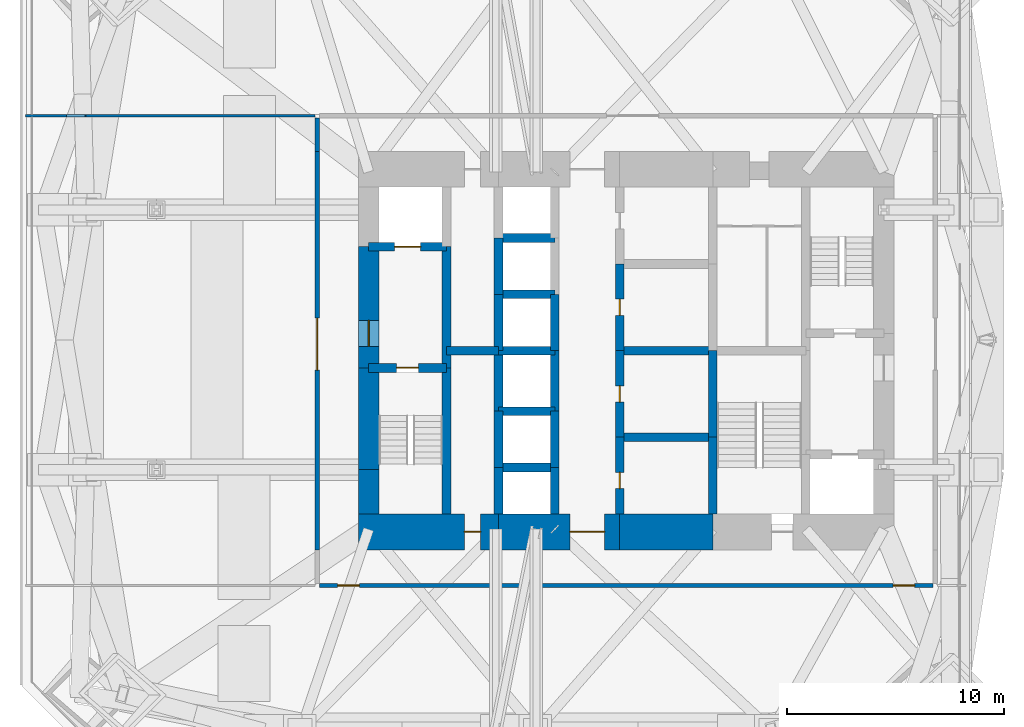
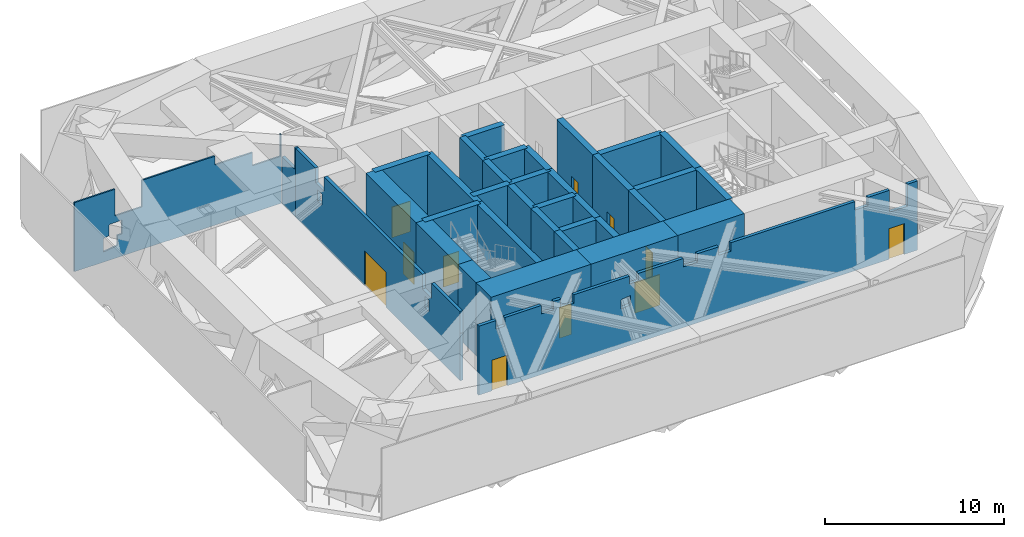
# One storey, part 4 of 8: 36 walls, 11 doors, 11 openings.
"""IFC4 building model written with IfcOpenShell, lengths in metres."""

from ifc_helpers import new_model, si_unit, direction, frame, frame_2d, origin, place, context, subcontext, project, spatial, polyline, rectangle, outline, extrude, material, layer, layer_set, constituent, constituent_set, type_object, element, fill, save


model = new_model("IFC4")

# Units and contexts
model_context = context("Model", 3, precision=1e-05, world=origin(), true_north=direction((0.0, 1.0)))
body_context = subcontext(model_context, "Body", "Model", "MODEL_VIEW")
ifc_project = project(units=[si_unit("LENGTHUNIT", "METRE"), si_unit("AREAUNIT", "SQUARE_METRE"), si_unit("VOLUMEUNIT", "CUBIC_METRE"), si_unit("PLANEANGLEUNIT", "RADIAN"), si_unit("MASSUNIT", "GRAM", prefix="KILO")], contexts=[model_context])

# Site, building, storey
site_placement = place(None, origin())
site = spatial("IfcSite", under=ifc_project, at=site_placement, CompositionType="ELEMENT")
building_placement = place(site_placement, origin())
building = spatial("IfcBuilding", under=site, at=building_placement, Name="Jalousie Tower", CompositionType="ELEMENT")
storey_placement = place(building_placement, frame((0.0, 0.0, 79.75)))
storey = spatial("IfcBuildingStorey", under=building, at=storey_placement, Name="L21", CompositionType="ELEMENT", Elevation=79.75)

# Wall, opening, door
ifc_material_1 = material(Name="Concrete f'c 120 MPa", Category="concrete")
ifc_layer_1 = layer(ifc_material_1, 1.64990234375)
ifc_layer_set_1 = layer_set([ifc_layer_1], Name="Concrete f'c 120 MPa")
wall_type_1 = type_object("IfcWallType", Name="CORE WALL 1650", PredefinedType="SHEAR", material=ifc_layer_set_1)
wall_1_placement = place(storey_placement, frame((19.52490234375, 10.125, 0.0), z_axis=(0.0, 0.0, 1.0), x_axis=(1.0, 0.0, 0.0)))
wall_1 = element("IfcWall", 1, at=wall_1_placement, inside=storey, type_object=wall_type_1, Name="Core wall SA L21", PredefinedType="SHEAR", context=body_context, shape_type="SweptSolid", body=[
    extrude(rectangle(XDim=6.47509765625, YDim=1.64990234375, at=frame_2d((3.237548828125, 0.0))), origin(), (0.0, 0.0, 1.0), 5.0),
])
opening_1_placement = place(wall_1_placement, frame((4.89990234375, 0.0, 0.0)))
opening_1 = element("IfcOpeningElement", 2, at=opening_1_placement, cuts=wall_1, Name="Opening D16", PredefinedType="OPENING", context=body_context, shape_type="SweptSolid", body=[
    extrude(rectangle(XDim=0.75, YDim=2.10009765625, at=frame_2d((0.375, 1.050048828125))), frame((0.0, 0.8349609375, 0.0), z_axis=(0.0, -1.0, 0.0), x_axis=(1.0, 0.0, 0.0)), (0.0, 0.0, 1.0), 1.669921875),
])
ifc_material_2 = material(Name="Steel fire door", Category="steel")
door_type_1 = type_object("IfcDoorType", Name="RISER DOOR 750", OperationType="SINGLE_SWING_LEFT", PredefinedType="DOOR", material=ifc_material_2)
door_1_placement = place(opening_1_placement, origin())
door_1 = element("IfcDoor", 3, at=door_1_placement, inside=storey, type_object=door_type_1, Name="South riser door", OperationType="SINGLE_SWING_LEFT", OverallHeight=2.10009765625, OverallWidth=0.75, PredefinedType="DOOR", context=body_context, shape_type="SweptSolid", body=[
    extrude(rectangle(XDim=0.75, YDim=2.10009765625, at=frame_2d((0.375, 1.050048828125))), frame((0.0, 0.02490234375, 0.0), z_axis=(0.0, -1.0, 0.0), x_axis=(1.0, 0.0, 0.0)), (0.0, 0.0, 1.0), 0.050048828125),
])
fill(opening_1, door_1)

wall_2_placement = place(storey_placement, frame((26.0, 10.125, 0.0), z_axis=(0.0, 0.0, 1.0), x_axis=(1.0, 0.0, 0.0)))
wall_2 = element("IfcWall", 4, at=wall_2_placement, inside=storey, type_object=wall_type_1, Name="Core wall SB L21", PredefinedType="SHEAR", context=body_context, shape_type="SweptSolid", body=[
    extrude(rectangle(XDim=5.60009765625, YDim=1.64990234375, at=frame_2d((2.800048828125, 0.0))), origin(), (0.0, 0.0, 1.0), 5.0),
])
opening_2_placement = place(wall_2_placement, frame((3.300048828125, 0.0, 0.0)))
opening_2 = element("IfcOpeningElement", 5, at=opening_2_placement, cuts=wall_2, Name="Opening D15", PredefinedType="OPENING", context=body_context, shape_type="SweptSolid", body=[
    extrude(rectangle(XDim=1.60009765625, YDim=2.10009765625, at=frame_2d((0.800048828125, 1.050048828125))), frame((0.0, 0.8349609375, 0.0), z_axis=(0.0, -1.0, 0.0), x_axis=(1.0, 0.0, 0.0)), (0.0, 0.0, 1.0), 1.669921875),
])
ifc_material_3 = material(Name="Steel fire door", Category="steel")
door_type_2 = type_object("IfcDoorType", Name="LIFT LOBBY DOOR 1600", OperationType="DOUBLE_DOOR_SINGLE_SWING", PredefinedType="DOOR", material=ifc_material_3)
door_2_placement = place(opening_2_placement, origin())
door_2 = element("IfcDoor", 6, at=door_2_placement, inside=storey, type_object=door_type_2, Name="Lift lobby south door", OperationType="DOUBLE_DOOR_SINGLE_SWING", OverallHeight=2.10009765625, OverallWidth=1.60009765625, PredefinedType="DOOR", context=body_context, shape_type="SweptSolid", body=[
    extrude(rectangle(XDim=1.60009765625, YDim=2.10009765625, at=frame_2d((0.800048828125, 1.050048828125))), frame((0.0, 0.02490234375, 0.0), z_axis=(0.0, -1.0, 0.0), x_axis=(1.0, 0.0, 0.0)), (0.0, 0.0, 1.0), 0.050048828125),
])
fill(opening_2, door_2)

# Walls
wall_3_placement = place(storey_placement, frame((31.60009765625, 10.125, 0.0), z_axis=(0.0, 0.0, 1.0), x_axis=(1.0, 0.0, 0.0)))
element("IfcWall", 7, at=wall_3_placement, inside=storey, type_object=wall_type_1, Name="Core wall SC L21", PredefinedType="SHEAR", context=body_context, shape_type="SweptSolid", body=[
    extrude(rectangle(XDim=4.2998046875, YDim=1.64990234375, at=frame_2d((2.14990234375, 0.0))), origin(), (0.0, 0.0, 1.0), 5.0),
])
ifc_material_4 = material(Name="Concrete f'c 120 MPa", Category="concrete")
ifc_layer_2 = layer(ifc_material_4, 0.39990234375)
ifc_layer_set_2 = layer_set([ifc_layer_2], Name="Concrete f'c 120 MPa")
wall_type_2 = type_object("IfcWallType", Name="CORE WALL 400", PredefinedType="SHEAR", material=ifc_layer_set_2)
wall_4_placement = place(storey_placement, frame((23.60009765625, 10.949951171875, 0.0), z_axis=(0.0, 0.0, 1.0), x_axis=(0.0, 1.0, 0.0)))
element("IfcWall", 8, at=wall_4_placement, inside=storey, type_object=wall_type_2, Name="Core wall X23.6A L21", PredefinedType="SHEAR", context=body_context, shape_type="SweptSolid", body=[
    extrude(rectangle(XDim=6.75, YDim=0.39990234375, at=frame_2d((3.375, 0.0))), origin(), (0.0, 0.0, 1.0), 5.0),
])
wall_5_placement = place(storey_placement, frame((23.60009765625, 17.699951171875, 0.0), z_axis=(0.0, 0.0, 1.0), x_axis=(0.0, 1.0, 0.0)))
element("IfcWall", 9, at=wall_5_placement, inside=storey, type_object=wall_type_2, Name="Core wall X23.6B L21", PredefinedType="SHEAR", context=body_context, shape_type="SweptSolid", body=[
    extrude(rectangle(XDim=5.60009765625, YDim=0.39990234375, at=frame_2d((2.800048828125, 0.0))), origin(), (0.0, 0.0, 1.0), 5.0),
])
wall_6_placement = place(storey_placement, frame((26.0, 10.949951171875, 0.0), z_axis=(0.0, 0.0, 1.0), x_axis=(0.0, 1.0, 0.0)))
element("IfcWall", 10, at=wall_6_placement, inside=storey, type_object=wall_type_2, Name="Core wall X26A L21", PredefinedType="SHEAR", context=body_context, shape_type="SweptSolid", body=[
    extrude(rectangle(XDim=2.150146484375, YDim=0.39990234375, at=frame_2d((1.0751953125, 0.0))), origin(), (0.0, 0.0, 1.0), 5.0),
])
wall_7_placement = place(storey_placement, frame((26.0, 13.10009765625, 0.0), z_axis=(0.0, 0.0, 1.0), x_axis=(0.0, 1.0, 0.0)))
element("IfcWall", 11, at=wall_7_placement, inside=storey, type_object=wall_type_2, Name="Core wall X26B L21", PredefinedType="SHEAR", context=body_context, shape_type="SweptSolid", body=[
    extrude(rectangle(XDim=2.599853515625, YDim=0.39990234375, at=frame_2d((1.2998046875, 0.0))), origin(), (0.0, 0.0, 1.0), 5.0),
])
wall_8_placement = place(storey_placement, frame((26.0, 15.699951171875, 0.0), z_axis=(0.0, 0.0, 1.0), x_axis=(0.0, 1.0, 0.0)))
element("IfcWall", 12, at=wall_8_placement, inside=storey, type_object=wall_type_2, Name="Core wall X26C L21", PredefinedType="SHEAR", context=body_context, shape_type="SweptSolid", body=[
    extrude(rectangle(XDim=2.800048828125, YDim=0.39990234375, at=frame_2d((1.39990234375, 0.0))), origin(), (0.0, 0.0, 1.0), 5.0),
])
wall_9_placement = place(storey_placement, frame((26.0, 18.5, 0.0), z_axis=(0.0, 0.0, 1.0), x_axis=(0.0, 1.0, 0.0)))
element("IfcWall", 13, at=wall_9_placement, inside=storey, type_object=wall_type_2, Name="Core wall X26D L21", PredefinedType="SHEAR", context=body_context, shape_type="SweptSolid", body=[
    extrude(rectangle(XDim=2.60009765625, YDim=0.39990234375, at=frame_2d((1.300048828125, 0.0))), origin(), (0.0, 0.0, 1.0), 5.0),
])
wall_10_placement = place(storey_placement, frame((26.0, 21.10009765625, 0.0), z_axis=(0.0, 0.0, 1.0), x_axis=(0.0, 1.0, 0.0)))
element("IfcWall", 14, at=wall_10_placement, inside=storey, type_object=wall_type_2, Name="Core wall X26E L21", PredefinedType="SHEAR", context=body_context, shape_type="SweptSolid", body=[
    extrude(rectangle(XDim=2.599853515625, YDim=0.39990234375, at=frame_2d((1.2998046875, 0.0))), origin(), (0.0, 0.0, 1.0), 5.0),
])
wall_11_placement = place(storey_placement, frame((28.60009765625, 10.949951171875, 0.0), z_axis=(0.0, 0.0, 1.0), x_axis=(0.0, 1.0, 0.0)))
element("IfcWall", 15, at=wall_11_placement, inside=storey, type_object=wall_type_2, Name="Core wall X28.6A L21", PredefinedType="SHEAR", context=body_context, shape_type="SweptSolid", body=[
    extrude(rectangle(XDim=2.150146484375, YDim=0.39990234375, at=frame_2d((1.0751953125, 0.0))), origin(), (0.0, 0.0, 1.0), 5.0),
])
wall_12_placement = place(storey_placement, frame((28.60009765625, 13.10009765625, 0.0), z_axis=(0.0, 0.0, 1.0), x_axis=(0.0, 1.0, 0.0)))
element("IfcWall", 16, at=wall_12_placement, inside=storey, type_object=wall_type_2, Name="Core wall X28.6B L21", PredefinedType="SHEAR", context=body_context, shape_type="SweptSolid", body=[
    extrude(rectangle(XDim=2.599853515625, YDim=0.39990234375, at=frame_2d((1.2998046875, 0.0))), origin(), (0.0, 0.0, 1.0), 5.0),
])
wall_13_placement = place(storey_placement, frame((28.60009765625, 15.699951171875, 0.0), z_axis=(0.0, 0.0, 1.0), x_axis=(0.0, 1.0, 0.0)))
element("IfcWall", 17, at=wall_13_placement, inside=storey, type_object=wall_type_2, Name="Core wall X28.6C L21", PredefinedType="SHEAR", context=body_context, shape_type="SweptSolid", body=[
    extrude(rectangle(XDim=2.800048828125, YDim=0.39990234375, at=frame_2d((1.39990234375, 0.0))), origin(), (0.0, 0.0, 1.0), 5.0),
])
wall_14_placement = place(storey_placement, frame((28.60009765625, 18.5, 0.0), z_axis=(0.0, 0.0, 1.0), x_axis=(0.0, 1.0, 0.0)))
element("IfcWall", 18, at=wall_14_placement, inside=storey, type_object=wall_type_2, Name="Core wall X28.6D L21", PredefinedType="SHEAR", context=body_context, shape_type="SweptSolid", body=[
    extrude(rectangle(XDim=2.60009765625, YDim=0.39990234375, at=frame_2d((1.300048828125, 0.0))), origin(), (0.0, 0.0, 1.0), 5.0),
])

# Wall, opening, door
wall_15_placement = place(storey_placement, frame((31.60009765625, 10.949951171875, 0.0), z_axis=(0.0, 0.0, 1.0), x_axis=(0.0, 1.0, 0.0)))
wall_15 = element("IfcWall", 19, at=wall_15_placement, inside=storey, type_object=wall_type_2, Name="Core wall X31.6A L21", PredefinedType="SHEAR", context=body_context, shape_type="SweptSolid", body=[
    extrude(rectangle(XDim=3.550048828125, YDim=0.39990234375, at=frame_2d((1.77490234375, 0.0))), origin(), (0.0, 0.0, 1.0), 5.0),
])
opening_3_placement = place(wall_15_placement, frame((1.175048828125, 0.0, 0.0)))
opening_3 = element("IfcOpeningElement", 20, at=opening_3_placement, cuts=wall_15, Name="Opening D16", PredefinedType="OPENING", context=body_context, shape_type="SweptSolid", body=[
    extrude(rectangle(XDim=0.75, YDim=2.10009765625, at=frame_2d((0.375, 1.050048828125))), frame((0.0, 0.2099609375, 0.0), z_axis=(0.0, -1.0, 0.0), x_axis=(1.0, 0.0, 0.0)), (0.0, 0.0, 1.0), 0.419921875),
])
door_3_placement = place(opening_3_placement, frame((0.75, 0.0, 0.0), z_axis=(0.0, 0.0, 1.0), x_axis=(-1.0, 0.0, 0.0)))
door_3 = element("IfcDoor", 21, at=door_3_placement, inside=storey, type_object=door_type_1, Name="Refuse Room door", OperationType="SINGLE_SWING_RIGHT", OverallHeight=2.10009765625, OverallWidth=0.75, PredefinedType="DOOR", context=body_context, shape_type="SweptSolid", body=[
    extrude(rectangle(XDim=0.75, YDim=2.10009765625, at=frame_2d((0.375, 1.050048828125))), frame((0.0, 0.02490234375, 0.0), z_axis=(0.0, -1.0, 0.0), x_axis=(1.0, 0.0, 0.0)), (0.0, 0.0, 1.0), 0.050048828125),
])
fill(opening_3, door_3)

wall_16_placement = place(storey_placement, frame((31.60009765625, 14.5, 0.0), z_axis=(0.0, 0.0, 1.0), x_axis=(0.0, 1.0, 0.0)))
wall_16 = element("IfcWall", 22, at=wall_16_placement, inside=storey, type_object=wall_type_2, Name="Core wall X31.6B L21", PredefinedType="SHEAR", context=body_context, shape_type="SweptSolid", body=[
    extrude(rectangle(XDim=4.0, YDim=0.39990234375, at=frame_2d((2.0, 0.0))), origin(), (0.0, 0.0, 1.0), 5.0),
])
opening_4_placement = place(wall_16_placement, frame((1.625, 0.0, 0.0)))
opening_4 = element("IfcOpeningElement", 23, at=opening_4_placement, cuts=wall_16, Name="Opening D16", PredefinedType="OPENING", context=body_context, shape_type="SweptSolid", body=[
    extrude(rectangle(XDim=0.75, YDim=2.10009765625, at=frame_2d((0.375, 1.050048828125))), frame((0.0, 0.2099609375, 0.0), z_axis=(0.0, -1.0, 0.0), x_axis=(1.0, 0.0, 0.0)), (0.0, 0.0, 1.0), 0.419921875),
])
door_4_placement = place(opening_4_placement, frame((0.75, 0.0, 0.0), z_axis=(0.0, 0.0, 1.0), x_axis=(-1.0, 0.0, 0.0)))
door_4 = element("IfcDoor", 24, at=door_4_placement, inside=storey, type_object=door_type_1, Name="Electrical Room door", OperationType="SINGLE_SWING_LEFT", OverallHeight=2.10009765625, OverallWidth=0.75, PredefinedType="DOOR", context=body_context, shape_type="SweptSolid", body=[
    extrude(rectangle(XDim=0.75, YDim=2.10009765625, at=frame_2d((0.375, 1.050048828125))), frame((0.0, 0.02490234375, 0.0), z_axis=(0.0, -1.0, 0.0), x_axis=(1.0, 0.0, 0.0)), (0.0, 0.0, 1.0), 0.050048828125),
])
fill(opening_4, door_4)

wall_17_placement = place(storey_placement, frame((31.60009765625, 18.5, 0.0), z_axis=(0.0, 0.0, 1.0), x_axis=(0.0, 1.0, 0.0)))
wall_17 = element("IfcWall", 25, at=wall_17_placement, inside=storey, type_object=wall_type_2, Name="Core wall X31.6C L21", PredefinedType="SHEAR", context=body_context, shape_type="SweptSolid", body=[
    extrude(rectangle(XDim=4.0, YDim=0.39990234375, at=frame_2d((2.0, 0.0))), origin(), (0.0, 0.0, 1.0), 5.0),
])
opening_5_placement = place(wall_17_placement, frame((1.625, 0.0, 0.0)))
opening_5 = element("IfcOpeningElement", 26, at=opening_5_placement, cuts=wall_17, Name="Opening D16", PredefinedType="OPENING", context=body_context, shape_type="SweptSolid", body=[
    extrude(rectangle(XDim=0.75, YDim=2.10009765625, at=frame_2d((0.375, 1.050048828125))), frame((0.0, 0.2099609375, 0.0), z_axis=(0.0, -1.0, 0.0), x_axis=(1.0, 0.0, 0.0)), (0.0, 0.0, 1.0), 0.419921875),
])
door_5_placement = place(opening_5_placement, frame((0.75, 0.0, 0.0), z_axis=(0.0, 0.0, 1.0), x_axis=(-1.0, 0.0, 0.0)))
door_5 = element("IfcDoor", 27, at=door_5_placement, inside=storey, type_object=door_type_1, Name="Telecom Room door", OperationType="SINGLE_SWING_LEFT", OverallHeight=2.10009765625, OverallWidth=0.75, PredefinedType="DOOR", context=body_context, shape_type="SweptSolid", body=[
    extrude(rectangle(XDim=0.75, YDim=2.10009765625, at=frame_2d((0.375, 1.050048828125))), frame((0.0, 0.02490234375, 0.0), z_axis=(0.0, -1.0, 0.0), x_axis=(1.0, 0.0, 0.0)), (0.0, 0.0, 1.0), 0.050048828125),
])
fill(opening_5, door_5)

# Walls
wall_18_placement = place(storey_placement, frame((35.89990234375, 10.949951171875, 0.0), z_axis=(0.0, 0.0, 1.0), x_axis=(0.0, 1.0, 0.0)))
element("IfcWall", 28, at=wall_18_placement, inside=storey, type_object=wall_type_2, Name="Core wall X35.9A L21", PredefinedType="SHEAR", context=body_context, shape_type="SweptSolid", body=[
    extrude(rectangle(XDim=3.550048828125, YDim=0.39990234375, at=frame_2d((1.77490234375, 0.0))), origin(), (0.0, 0.0, 1.0), 5.0),
])
wall_19_placement = place(storey_placement, frame((35.89990234375, 14.5, 0.0), z_axis=(0.0, 0.0, 1.0), x_axis=(0.0, 1.0, 0.0)))
element("IfcWall", 29, at=wall_19_placement, inside=storey, type_object=wall_type_2, Name="Core wall X35.9B L21", PredefinedType="SHEAR", context=body_context, shape_type="SweptSolid", body=[
    extrude(rectangle(XDim=4.0, YDim=0.39990234375, at=frame_2d((2.0, 0.0))), origin(), (0.0, 0.0, 1.0), 5.0),
])

# Wall, opening, door
wall_20_placement = place(storey_placement, frame((20.0, 17.699951171875, 0.0), z_axis=(0.0, 0.0, 1.0), x_axis=(1.0, 0.0, 0.0)))
wall_20 = element("IfcWall", 30, at=wall_20_placement, inside=storey, type_object=wall_type_2, Name="Core wall Y20-17.7 L21", PredefinedType="SHEAR", context=body_context, shape_type="SweptSolid", body=[
    extrude(rectangle(XDim=3.60009765625, YDim=0.39990234375, at=frame_2d((1.800048828125, 0.0))), origin(), (0.0, 0.0, 1.0), 5.0),
])
opening_6_placement = place(wall_20_placement, frame((1.300048828125, 0.0, 0.0)))
opening_6 = element("IfcOpeningElement", 31, at=opening_6_placement, cuts=wall_20, Name="Opening D10", PredefinedType="OPENING", context=body_context, shape_type="SweptSolid", body=[
    extrude(rectangle(XDim=1.0, YDim=2.10009765625, at=frame_2d((0.5, 1.050048828125))), frame((0.0, 0.2099609375, 0.0), z_axis=(0.0, -1.0, 0.0), x_axis=(1.0, 0.0, 0.0)), (0.0, 0.0, 1.0), 0.419921875),
])
ifc_material_5 = material(Name="Steel fire door", Category="steel")
door_type_3 = type_object("IfcDoorType", Name="STAIR DOOR 1000", OperationType="SINGLE_SWING_LEFT", PredefinedType="DOOR", material=ifc_material_5)
door_6_placement = place(opening_6_placement, frame((1.0, 0.0, 0.0), z_axis=(0.0, 0.0, 1.0), x_axis=(-1.0, 0.0, 0.0)))
door_6 = element("IfcDoor", 32, at=door_6_placement, inside=storey, type_object=door_type_3, Name="Exit stair A door", OperationType="SINGLE_SWING_RIGHT", OverallHeight=2.10009765625, OverallWidth=1.0, PredefinedType="DOOR", context=body_context, shape_type="SweptSolid", body=[
    extrude(rectangle(XDim=1.0, YDim=2.10009765625, at=frame_2d((0.5, 1.050048828125))), frame((0.0, 0.02490234375, 0.0), z_axis=(0.0, -1.0, 0.0), x_axis=(1.0, 0.0, 0.0)), (0.0, 0.0, 1.0), 0.050048828125),
])
fill(opening_6, door_6)

wall_21_placement = place(storey_placement, frame((20.0, 23.300048828125, 0.0), z_axis=(0.0, 0.0, 1.0), x_axis=(1.0, 0.0, 0.0)))
wall_21 = element("IfcWall", 33, at=wall_21_placement, inside=storey, type_object=wall_type_2, Name="Core wall Y20-23.3 L21", PredefinedType="SHEAR", context=body_context, shape_type="SweptSolid", body=[
    extrude(rectangle(XDim=3.60009765625, YDim=0.39990234375, at=frame_2d((1.800048828125, 0.0))), origin(), (0.0, 0.0, 1.0), 5.0),
])
opening_7_placement = place(wall_21_placement, frame((1.199951171875, 0.0, 0.0)))
opening_7 = element("IfcOpeningElement", 34, at=opening_7_placement, cuts=wall_21, Name="Opening LD2", PredefinedType="OPENING", context=body_context, shape_type="SweptSolid", body=[
    extrude(rectangle(XDim=1.199951171875, YDim=2.10009765625, at=frame_2d((0.60009765625, 1.050048828125))), frame((0.0, 0.2099609375, 0.0), z_axis=(0.0, -1.0, 0.0), x_axis=(1.0, 0.0, 0.0)), (0.0, 0.0, 1.0), 0.419921875),
])
ifc_material_6 = material(Name="Steel lift landing door", Category="steel")
door_type_4 = type_object("IfcDoorType", Name="LIFT LANDING DOOR 1200", OperationType="SLIDING_TO_LEFT", PredefinedType="DOOR", material=ifc_material_6)
door_7_placement = place(opening_7_placement, origin())
door_7 = element("IfcDoor", 35, at=door_7_placement, inside=storey, type_object=door_type_4, Name="Lift F1 landing door", OperationType="SLIDING_TO_LEFT", OverallHeight=2.10009765625, OverallWidth=1.199951171875, PredefinedType="DOOR", context=body_context, shape_type="SweptSolid", body=[
    extrude(rectangle(XDim=1.199951171875, YDim=2.10009765625, at=frame_2d((0.60009765625, 1.050048828125))), frame((0.0, 0.02490234375, 0.0), z_axis=(0.0, -1.0, 0.0), x_axis=(1.0, 0.0, 0.0)), (0.0, 0.0, 1.0), 0.050048828125),
])
fill(opening_7, door_7)

# Walls
wall_22_placement = place(storey_placement, frame((23.60009765625, 18.5, 0.0), z_axis=(0.0, 0.0, 1.0), x_axis=(1.0, 0.0, 0.0)))
element("IfcWall", 36, at=wall_22_placement, inside=storey, type_object=wall_type_2, Name="Core wall Y23.6-18.5 L21", PredefinedType="SHEAR", context=body_context, shape_type="SweptSolid", body=[
    extrude(rectangle(XDim=2.39990234375, YDim=0.39990234375, at=frame_2d((1.199951171875, 0.0))), origin(), (0.0, 0.0, 1.0), 5.0),
])
for number, where, z_axis, x_axis, name in (
    (37, (26.0, 13.10009765625, 0.0), (0.0, 0.0, 1.0), (1.0, 0.0, 0.0), "Core wall Y26-13.1 L21"),
    (38, (26.0, 15.699951171875, 0.0), (0.0, 0.0, 1.0), (1.0, 0.0, 0.0), "Core wall Y26-15.7 L21"),
    (39, (26.0, 18.5, 0.0), (0.0, 0.0, 1.0), (1.0, 0.0, 0.0), "Core wall Y26-18.5 L21"),
    (40, (26.0, 21.10009765625, 0.0), (0.0, 0.0, 1.0), (1.0, 0.0, 0.0), "Core wall Y26-21.1 L21"),
    (41, (26.0, 23.699951171875, 0.0), (0.0, 0.0, 1.0), (1.0, 0.0, 0.0), "Core wall Y26-23.7 L21"),
):
    element("IfcWall", number, at=place(storey_placement, frame(where, z_axis=z_axis, x_axis=x_axis)), inside=storey, type_object=wall_type_2, Name=name, PredefinedType="SHEAR", context=body_context, shape_type="SweptSolid", body=[
        extrude(rectangle(XDim=2.60009765625, YDim=0.39990234375, at=frame_2d((1.300048828125, 0.0))), origin(), (0.0, 0.0, 1.0), 5.0),
    ])
for number, where, z_axis, x_axis, name in (
    (42, (31.60009765625, 14.5, 0.0), (0.0, 0.0, 1.0), (1.0, 0.0, 0.0), "Core wall Y31.6-14.5 L21"),
    (43, (31.60009765625, 18.5, 0.0), (0.0, 0.0, 1.0), (1.0, 0.0, 0.0), "Core wall Y31.6-18.5 L21"),
):
    element("IfcWall", number, at=place(storey_placement, frame(where, z_axis=z_axis, x_axis=x_axis)), inside=storey, type_object=wall_type_2, Name=name, PredefinedType="SHEAR", context=body_context, shape_type="SweptSolid", body=[
        extrude(rectangle(XDim=4.2998046875, YDim=0.39990234375, at=frame_2d((2.14990234375, 0.0))), origin(), (0.0, 0.0, 1.0), 5.0),
    ])

# Wall, opening, door
ifc_material_7 = material(Name="Concrete f'c 120 MPa", Category="concrete")
ifc_layer_3 = layer(ifc_material_7, 0.949951171875)
ifc_layer_set_3 = layer_set([ifc_layer_3], Name="Concrete f'c 120 MPa")
wall_type_3 = type_object("IfcWallType", Name="CORE WALL 950", PredefinedType="SHEAR", material=ifc_layer_set_3)
wall_23_placement = place(storey_placement, frame((20.0, 23.300048828125, 0.0), z_axis=(0.0, 0.0, 1.0), x_axis=(0.0, -1.0, 0.0)))
wall_23 = element("IfcWall", 44, at=wall_23_placement, inside=storey, type_object=wall_type_3, Name="Core wall WB L21", PredefinedType="SHEAR", context=body_context, shape_type="SweptSolid", body=[
    extrude(rectangle(XDim=5.60009765625, YDim=0.949951171875, at=frame_2d((2.800048828125, 0.0))), origin(), (0.0, 0.0, 1.0), 5.0),
])
opening_8_placement = place(wall_23_placement, frame((3.39990234375, 0.0, 0.0)))
opening_8 = element("IfcOpeningElement", 45, at=opening_8_placement, cuts=wall_23, Name="Opening D11", PredefinedType="OPENING", context=body_context, shape_type="SweptSolid", body=[
    extrude(rectangle(XDim=1.199951171875, YDim=2.199951171875, at=frame_2d((0.60009765625, 1.10009765625))), frame((0.0, 0.48486328125, 0.0), z_axis=(0.0, -1.0, 0.0), x_axis=(1.0, 0.0, 0.0)), (0.0, 0.0, 1.0), 0.969970703125),
])
ifc_material_8 = material(Name="Steel fire door", Category="steel")
door_type_5 = type_object("IfcDoorType", Name="FIRE DOOR 1200", OperationType="SINGLE_SWING_LEFT", PredefinedType="DOOR", material=ifc_material_8)
door_8_placement = place(opening_8_placement, origin())
door_8 = element("IfcDoor", 46, at=door_8_placement, inside=storey, type_object=door_type_5, Name="Fire-fighting lobby A door", OperationType="SINGLE_SWING_RIGHT", OverallHeight=2.199951171875, OverallWidth=1.199951171875, PredefinedType="DOOR", context=body_context, shape_type="SweptSolid", body=[
    extrude(rectangle(XDim=1.199951171875, YDim=2.199951171875, at=frame_2d((0.60009765625, 1.10009765625))), frame((0.0, 0.02490234375, 0.0), z_axis=(0.0, -1.0, 0.0), x_axis=(1.0, 0.0, 0.0)), (0.0, 0.0, 1.0), 0.050048828125),
])
fill(opening_8, door_8)

# Walls
wall_24_placement = place(storey_placement, frame((20.0, 17.699951171875, 0.0), z_axis=(0.0, 0.0, 1.0), x_axis=(0.0, -1.0, 0.0)))
element("IfcWall", 47, at=wall_24_placement, inside=storey, type_object=wall_type_3, Name="Core wall WC L21", PredefinedType="SHEAR", context=body_context, shape_type="SweptSolid", body=[
    extrude(rectangle(XDim=4.699951171875, YDim=0.949951171875, at=frame_2d((2.35009765625, 0.0))), origin(), (0.0, 0.0, 1.0), 5.0),
])
wall_25_placement = place(storey_placement, frame((20.0, 13.0, 0.0), z_axis=(0.0, 0.0, 1.0), x_axis=(0.0, -1.0, 0.0)))
element("IfcWall", 48, at=wall_25_placement, inside=storey, type_object=wall_type_3, Name="Core wall WD L21", PredefinedType="SHEAR", context=body_context, shape_type="SweptSolid", body=[
    extrude(rectangle(XDim=2.050048828125, YDim=0.949951171875, at=frame_2d((1.02490234375, 0.0))), origin(), (0.0, 0.0, 1.0), 5.0),
])

# Wall, openings, doors
ifc_material_9 = material(Name="Concrete block ASTM C90", Category="concrete")
ifc_constituent_1 = constituent(ifc_material_9, Name="Body")
ifc_material_10 = material(Name="Render")
ifc_constituent_2 = constituent(ifc_material_10, Name="Finish")
ifc_constituent_set_1 = constituent_set(constituents=[ifc_constituent_1, ifc_constituent_2])
wall_type_4 = type_object("IfcWallType", Name="CORRIDOR WALL 200", PredefinedType="PARTITIONING", material=ifc_constituent_set_1)
wall_26_placement = place(storey_placement, frame((17.72509765625, 7.64990234375, 0.0), z_axis=(0.0, 0.0, 1.0), x_axis=(1.0, 0.0, 0.0)))
wall_26 = element("IfcWall", 49, at=wall_26_placement, inside=storey, type_object=wall_type_4, Name="Corridor Wall 200 L21", PredefinedType="PARTITIONING", context=body_context, shape_type="SweptSolid", body=[
    extrude(outline(polyline([(28.35009765625, 0.0), (28.35009765625, 4.719970703125), (27.701416015625, 4.719970703125), (27.701416015625, 3.219970703125), (26.54296875, 3.219970703125), (26.54296875, 4.719970703125), (25.152099609375, 4.719970703125), (25.152099609375, 4.140869140625), (24.30224609375, 4.140869140625), (24.30224609375, 4.719970703125), (16.298095703125, 4.719970703125), (16.298095703125, 4.140869140625), (15.494873046875, 4.140869140625), (15.494873046875, 4.719970703125), (14.1328125, 4.719970703125), (14.1328125, 4.140869140625), (13.22265625, 4.140869140625), (13.22265625, 4.719970703125), (10.314453125, 4.719970703125), (10.314453125, 4.194091796875), (9.735595703125, 4.194091796875), (9.735595703125, 4.719970703125), (6.153076171875, 4.719970703125), (6.153076171875, 4.140869140625), (5.294921875, 4.140869140625), (5.294921875, 4.719970703125), (4.83251953125, 4.719970703125), (4.83251953125, 4.140869140625), (4.05078125, 4.140869140625), (4.05078125, 4.719970703125), (1.68408203125, 4.719970703125), (1.68408203125, 4.140869140625), (1.11865234375, 4.140869140625), (1.11865234375, 4.719970703125), (0.0, 4.719970703125), (0.0, 0.0), (28.35009765625, 0.0)]), holes=[polyline([(9.180419921875, 3.20751953125), (9.2236328125, 3.322509765625), (9.8212890625, 3.384521484375), (9.8212890625, 2.857666015625), (9.778076171875, 2.74267578125), (9.180419921875, 2.680419921875), (9.180419921875, 3.20751953125)])]), frame((0.0, 0.10009765625, 0.0), z_axis=(0.0, -1.0, 0.0), x_axis=(1.0, 0.0, 0.0)), (0.0, 0.0, 1.0), 0.199951171875),
])
opening_9_placement = place(wall_26_placement, frame((0.85009765625, 0.0, 0.0)))
opening_9 = element("IfcOpeningElement", 50, at=opening_9_placement, cuts=wall_26, Name="Opening D21", PredefinedType="OPENING", context=body_context, shape_type="SweptSolid", body=[
    extrude(rectangle(XDim=1.0, YDim=2.10009765625, at=frame_2d((0.5, 1.050048828125))), frame((0.0, 0.10986328125, 0.0), z_axis=(0.0, -1.0, 0.0), x_axis=(1.0, 0.0, 0.0)), (0.0, 0.0, 1.0), 0.219970703125),
])
opening_10_placement = place(wall_26_placement, frame((26.5, 0.0, 0.0)))
opening_10 = element("IfcOpeningElement", 51, at=opening_10_placement, cuts=wall_26, Name="Opening D21", PredefinedType="OPENING", context=body_context, shape_type="SweptSolid", body=[
    extrude(rectangle(XDim=1.0, YDim=2.10009765625, at=frame_2d((0.5, 1.050048828125))), frame((0.0, 0.10986328125, 0.0), z_axis=(0.0, -1.0, 0.0), x_axis=(1.0, 0.0, 0.0)), (0.0, 0.0, 1.0), 0.219970703125),
])
ifc_material_11 = material(Name="Timber fire door", Category="wood")
door_type_6 = type_object("IfcDoorType", Name="CORRIDOR DOOR 1000", OperationType="SINGLE_SWING_LEFT", PredefinedType="DOOR", material=ifc_material_11)
door_9_placement = place(opening_9_placement, frame((1.0, 0.0, 0.0), z_axis=(0.0, 0.0, 1.0), x_axis=(-1.0, 0.0, 0.0)))
door_9 = element("IfcDoor", 52, at=door_9_placement, inside=storey, type_object=door_type_6, Name="Refuge area door", OperationType="SINGLE_SWING_RIGHT", OverallHeight=2.10009765625, OverallWidth=1.0, PredefinedType="DOOR", context=body_context, shape_type="SweptSolid", body=[
    extrude(rectangle(XDim=1.0, YDim=2.10009765625, at=frame_2d((0.5, 1.050048828125))), frame((0.0, 0.02490234375, 0.0), z_axis=(0.0, -1.0, 0.0), x_axis=(1.0, 0.0, 0.0)), (0.0, 0.0, 1.0), 0.050048828125),
])
fill(opening_9, door_9)
door_10_placement = place(opening_10_placement, frame((1.0, 0.0, 0.0), z_axis=(0.0, 0.0, 1.0), x_axis=(-1.0, 0.0, 0.0)))
door_10 = element("IfcDoor", 53, at=door_10_placement, inside=storey, type_object=door_type_6, Name="Refuge area second door", OperationType="SINGLE_SWING_LEFT", OverallHeight=2.10009765625, OverallWidth=1.0, PredefinedType="DOOR", context=body_context, shape_type="SweptSolid", body=[
    extrude(rectangle(XDim=1.0, YDim=2.10009765625, at=frame_2d((0.5, 1.050048828125))), frame((0.0, 0.02490234375, 0.0), z_axis=(0.0, -1.0, 0.0), x_axis=(1.0, 0.0, 0.0)), (0.0, 0.0, 1.0), 0.050048828125),
])
fill(opening_10, door_10)

# Wall
wall_27_placement = place(storey_placement, frame((17.625, 27.699951171875, 0.0), z_axis=(0.0, 0.0, 1.0), x_axis=(0.0, 1.0, 0.0)))
element("IfcWall", 54, at=wall_27_placement, inside=storey, type_object=wall_type_4, Name="Corridor Wall 200 L21", PredefinedType="PARTITIONING", context=body_context, shape_type="SweptSolid", body=[
    extrude(outline(polyline([(0.0, 0.0), (1.550048828125, 0.0), (1.550048828125, 3.219970703125), (0.147216796875, 3.219970703125), (0.147216796875, 4.719970703125), (0.0, 4.719970703125), (0.0, 0.0)])), frame((0.0, 0.10009765625, 0.0), z_axis=(0.0, -1.0, 0.0), x_axis=(1.0, 0.0, 0.0)), (0.0, 0.0, 1.0), 0.199951171875),
])

# Wall, opening, door
wall_28_placement = place(storey_placement, frame((17.625, 9.300048828125, 0.0), z_axis=(0.0, 0.0, 1.0), x_axis=(0.0, 1.0, 0.0)))
wall_28 = element("IfcWall", 55, at=wall_28_placement, inside=storey, type_object=wall_type_4, Name="Corridor Wall 200 L21", PredefinedType="PARTITIONING", context=body_context, shape_type="SweptSolid", body=[
    extrude(outline(polyline([(18.39990234375, 0.0), (18.39990234375, 4.719970703125), (16.199951171875, 4.719970703125), (16.199951171875, 3.719970703125), (15.199951171875, 3.719970703125), (15.199951171875, 4.719970703125), (4.199951171875, 4.719970703125), (4.199951171875, 3.719970703125), (3.199951171875, 3.719970703125), (3.199951171875, 4.719970703125), (0.02734375, 4.719970703125), (0.02734375, 3.219970703125), (0.0, 3.219970703125), (0.0, 0.0), (18.39990234375, 0.0)]), holes=[polyline([(3.453857421875, 2.622314453125), (3.453857421875, 3.394287109375), (3.9462890625, 3.394287109375), (3.9462890625, 2.622314453125), (3.453857421875, 2.622314453125)]), polyline([(15.453857421875, 2.622314453125), (15.453857421875, 3.394287109375), (15.9462890625, 3.394287109375), (15.9462890625, 2.622314453125), (15.453857421875, 2.622314453125)])]), frame((0.0, 0.10009765625, 0.0), z_axis=(0.0, -1.0, 0.0), x_axis=(1.0, 0.0, 0.0)), (0.0, 0.0, 1.0), 0.199951171875),
])
opening_11_placement = place(wall_28_placement, frame((8.300048828125, 0.0, 0.0)))
opening_11 = element("IfcOpeningElement", 56, at=opening_11_placement, cuts=wall_28, Name="Opening D9", PredefinedType="OPENING", context=body_context, shape_type="SweptSolid", body=[
    extrude(rectangle(XDim=2.39990234375, YDim=2.39990234375, at=frame_2d((1.199951171875, 1.199951171875))), frame((0.0, 0.10986328125, 0.0), z_axis=(0.0, -1.0, 0.0), x_axis=(1.0, 0.0, 0.0)), (0.0, 0.0, 1.0), 0.219970703125),
])
ifc_material_12 = material(Name="Steel fire door", Category="steel")
door_type_7 = type_object("IfcDoorType", Name="PLANT DOOR 2400", OperationType="DOUBLE_DOOR_SINGLE_SWING", PredefinedType="DOOR", material=ifc_material_12)
door_11_placement = place(opening_11_placement, origin())
door_11 = element("IfcDoor", 57, at=door_11_placement, inside=storey, type_object=door_type_7, Name="Air handling plant room door", OperationType="DOUBLE_DOOR_SINGLE_SWING", OverallHeight=2.39990234375, OverallWidth=2.39990234375, PredefinedType="DOOR", context=body_context, shape_type="SweptSolid", body=[
    extrude(rectangle(XDim=2.39990234375, YDim=2.39990234375, at=frame_2d((1.199951171875, 1.199951171875))), frame((0.0, 0.02490234375, 0.0), z_axis=(0.0, -1.0, 0.0), x_axis=(1.0, 0.0, 0.0)), (0.0, 0.0, 1.0), 0.050048828125),
])
fill(opening_11, door_11)

# Wall
ifc_material_13 = material(Name="Gypsum board", Category="gypsum")
ifc_constituent_3 = constituent(ifc_material_13, Name="Body")
ifc_material_14 = material(Name="Light-gauge steel studs ASTM A653 SS Grade 33", Category="steel")
ifc_constituent_4 = constituent(ifc_material_14, Name="Framing")
ifc_constituent_set_2 = constituent_set(constituents=[ifc_constituent_3, ifc_constituent_4])
wall_type_5 = type_object("IfcWallType", Name="PARTITION 100", PredefinedType="PARTITIONING", material=ifc_constituent_set_2)
wall_29_placement = place(storey_placement, frame((4.14990234375, 29.35009765625, 0.0), z_axis=(0.0, 0.0, 1.0), x_axis=(1.0, 0.0, 0.0)))
element("IfcWall", 58, at=wall_29_placement, inside=storey, type_object=wall_type_5, Name="Partition 100 L21", PredefinedType="PARTITIONING", context=body_context, shape_type="SweptSolid", body=[
    extrude(outline(polyline([(2.63427734375, 4.719970703125), (0.0, 4.719970703125), (0.0, 0.0), (13.375, 0.0), (13.375, 4.719970703125), (13.31396484375, 4.719970703125), (13.31396484375, 3.219970703125), (11.52685546875, 3.219970703125), (11.52685546875, 4.1201171875), (9.090087890625, 4.1201171875), (9.090087890625, 4.719970703125), (4.376708984375, 4.719970703125), (4.376708984375, 2.89990234375), (2.63427734375, 2.89990234375), (2.63427734375, 4.719970703125)]), holes=[polyline([(2.756591796875, 0.8154296875), (1.892333984375, 0.69189453125), (1.892333984375, 1.576904296875), (1.932373046875, 1.628173828125), (2.254638671875, 1.67431640625), (2.254638671875, 2.389404296875), (2.25830078125, 2.4443359375), (3.078125, 2.455810546875), (3.078125, 1.56689453125), (3.07421875, 1.51220703125), (2.796630859375, 1.50830078125), (2.796630859375, 0.86669921875), (2.756591796875, 0.8154296875)])]), frame((0.0, 0.050048828125, 0.0), z_axis=(0.0, -1.0, 0.0), x_axis=(1.0, 0.0, 0.0)), (0.0, 0.0, 1.0), 0.10009765625),
])

save(model, "model.ifc")
